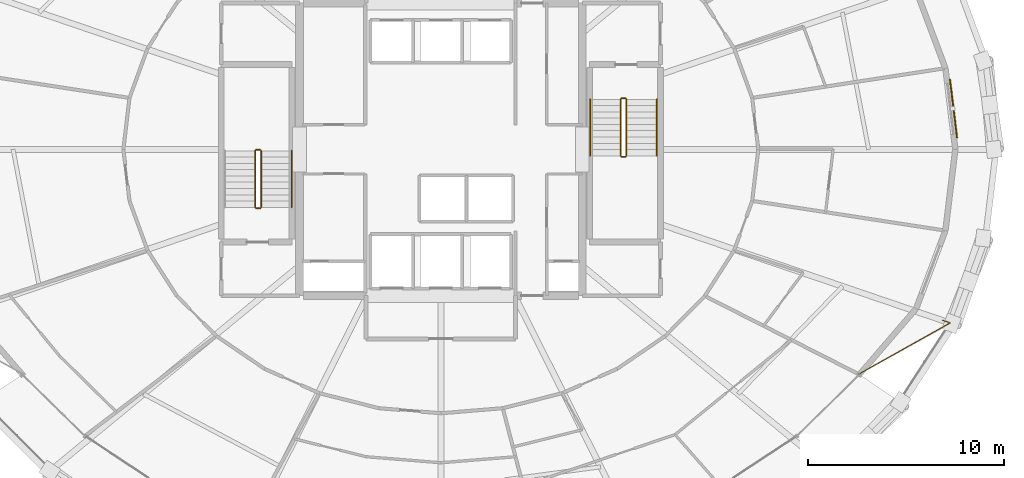
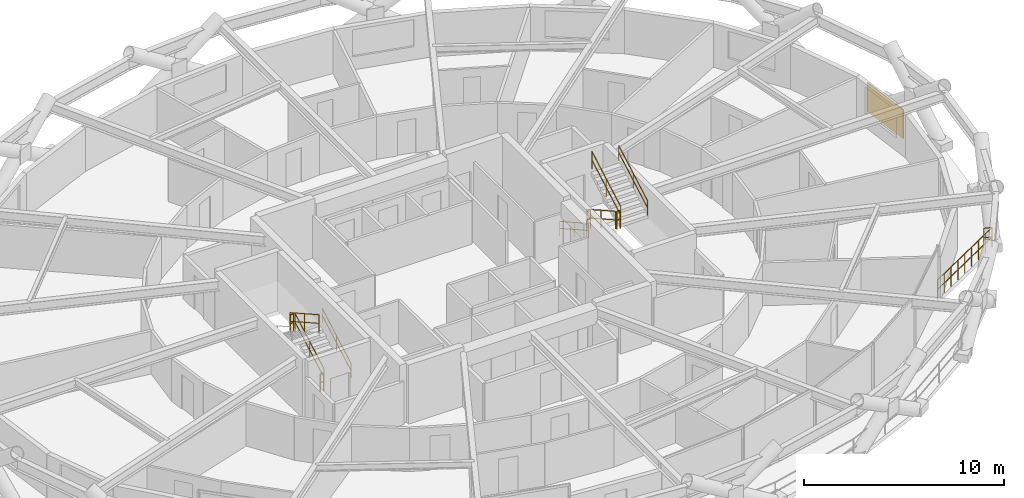
# One storey, part 19 of 19: 12 railings, 1 shading device.
"""IFC4 building model written with IfcOpenShell, lengths in metres."""

import ifcopenshell
import ifcopenshell.guid

model = None  # the IFC model being written
_history = None  # IfcOwnerHistory: only IFC2X3 demands one
_inside = {}  # id of a spatial element -> (the spatial element, [elements in it])
_under = {}  # id of a project, library or spatial element -> (it, [spatial elements below it])
_declared = {}  # id of a project -> (the project, [libraries it declares])
_typed = {}  # id of a type object -> (the type object, [elements of that type])
_made_of = {}  # id of a material, layer set ... -> (it, [elements and type objects made of it])


def new_model(schema):
    """Start an empty IFC model of exactly this schema.

    Asked for "IFC4X3", IfcOpenShell would pick the latest addendum, in which some entities
    have other attributes; the version numbers below select the first issue.
    IFC2X3 requires an IfcOwnerHistory on every rooted entity: one is made here for all.
    """
    global model, _history
    if schema == "IFC4X3":
        model = ifcopenshell.file(schema_version=(4, 3, 0, 0))
    else:
        model = ifcopenshell.file(schema=schema)
    _inside.clear()
    _under.clear()
    _declared.clear()
    _typed.clear()
    _made_of.clear()
    _history = None
    if model.schema == "IFC2X3":
        org = make("IfcOrganization", Name="unknown")
        user = make(
            "IfcPersonAndOrganization",
            ThePerson=make("IfcPerson", FamilyName="unknown"),
            TheOrganization=org,
        )
        app = make(
            "IfcApplication",
            ApplicationDeveloper=org,
            Version="unknown",
            ApplicationFullName="unknown",
            ApplicationIdentifier="unknown",
        )
        _history = make(
            "IfcOwnerHistory",
            OwningUser=user,
            OwningApplication=app,
            ChangeAction="ADDED",
            CreationDate=0,
        )
    return model


def make(cls, **values):
    """One entity of the class cls with the attributes given. An attribute that is None is left unset."""
    return model.create_entity(
        cls, **{name: value for name, value in values.items() if value is not None}
    )


def rooted(cls, **values):
    """An entity with a GlobalId (a new one), such as an element, a storey or a relation."""
    return make(cls, GlobalId=ifcopenshell.guid.new(), OwnerHistory=_history, **values)


def si_unit(unit_type, name, prefix=None):
    """IfcSIUnit, for example si_unit("LENGTHUNIT", "METRE", prefix="MILLI")."""
    return make("IfcSIUnit", UnitType=unit_type, Prefix=prefix, Name=name)


def assignment(units):
    """IfcUnitAssignment: the units of a project."""
    return None if units is None else make("IfcUnitAssignment", Units=units)


def point(xyz):
    """IfcCartesianPoint."""
    return None if xyz is None else make("IfcCartesianPoint", Coordinates=xyz)


def direction(xyz):
    """IfcDirection."""
    return None if xyz is None else make("IfcDirection", DirectionRatios=xyz)


def frame(location, z_axis=None, x_axis=None):
    """IfcAxis2Placement3D, a coordinate frame: its origin and axes. An axis left out is left unset."""
    return make(
        "IfcAxis2Placement3D",
        Location=point(location),
        Axis=direction(z_axis),
        RefDirection=direction(x_axis),
    )


def frame_2d(location, x_axis=None):
    """IfcAxis2Placement2D, a coordinate frame in the plane: its origin and x axis."""
    return make(
        "IfcAxis2Placement2D", Location=point(location), RefDirection=direction(x_axis)
    )


def origin():
    """The frame at (0, 0, 0) with its axes left unset."""
    return frame((0.0, 0.0, 0.0))


def origin_2d():
    """The frame at (0, 0) in the plane with its x axis left unset."""
    return frame_2d((0.0, 0.0))


def place(relative_to, where):
    """IfcLocalPlacement: puts the frame where relative to a parent placement (None: the world)."""
    return make(
        "IfcLocalPlacement", PlacementRelTo=relative_to, RelativePlacement=where
    )


def context(
    kind, dimensions, precision=None, world=None, true_north=None, identifier=None
):
    """IfcGeometricRepresentationContext, for example the 3D "Model" context."""
    return make(
        "IfcGeometricRepresentationContext",
        ContextIdentifier=identifier,
        ContextType=kind,
        CoordinateSpaceDimension=dimensions,
        Precision=precision,
        WorldCoordinateSystem=world,
        TrueNorth=true_north,
    )


def subcontext(parent, identifier, kind, view, scale=None):
    """IfcGeometricRepresentationSubContext, for example "Body" below "Model"."""
    return make(
        "IfcGeometricRepresentationSubContext",
        ContextIdentifier=identifier,
        ContextType=kind,
        ParentContext=parent,
        TargetScale=scale,
        TargetView=view,
    )


def project(units=None, contexts=None):
    """IfcProject with its units and contexts."""
    return rooted(
        "IfcProject",
        Name="project",
        RepresentationContexts=contexts,
        UnitsInContext=assignment(units),
    )


def spatial(cls, under=None, at=None, **own):
    """A site, building, storey or space (cls), placed at a placement, below another one or the project."""
    s = rooted(cls, ObjectPlacement=at, **own)
    if under is not None:
        _under.setdefault(under.id(), (under, []))[1].append(s)
    return s


def profile(cls, at=None, kind="AREA", **sizes):
    """A parametric profile (cls). Its sizes go by their IFC names, for example OverallWidth=200.0."""
    return make(cls, ProfileType=kind, Position=at, **sizes)


def rectangle(**sizes):
    """IfcRectangleProfileDef."""
    return profile("IfcRectangleProfileDef", **sizes)


def circle(**sizes):
    """IfcCircleProfileDef."""
    return profile("IfcCircleProfileDef", **sizes)


def extrude(swept, where, along, depth):
    """IfcExtrudedAreaSolid: the profile swept, set in the frame where, extruded along a direction by depth."""
    return make(
        "IfcExtrudedAreaSolid",
        SweptArea=swept,
        Position=where,
        ExtrudedDirection=direction(along),
        Depth=depth,
    )


def shape(context_of_items, identifier, shape_type, items):
    """IfcShapeRepresentation: the items that make up one representation, for example the "Body"."""
    return make(
        "IfcShapeRepresentation",
        ContextOfItems=context_of_items,
        RepresentationIdentifier=identifier,
        RepresentationType=shape_type,
        Items=items,
    )


def material(Name=None, Category=None):
    """IfcMaterial."""
    return make("IfcMaterial", Name=Name, Category=Category)


def layer(
    of_material, thickness, ventilated=None, Name=None, Category=None, Priority=None
):
    """IfcMaterialLayer: one layer of a wall or slab, of a material (None: an air gap)."""
    return make(
        "IfcMaterialLayer",
        Material=of_material,
        LayerThickness=thickness,
        IsVentilated=ventilated,
        Name=Name,
        Category=Category,
        Priority=Priority,
    )


def layer_set(layers, Name=None):
    """IfcMaterialLayerSet."""
    return make("IfcMaterialLayerSet", MaterialLayers=layers, LayerSetName=Name)


def made_of(thing, what):
    """Note that an element or type object is made of a material, layer set ...; save() writes the relation."""
    if what is not None:
        _made_of.setdefault(what.id(), (what, []))[1].append(thing)
    return thing


def type_object(cls, material=None, **own):
    """A type object (cls), such as IfcWallType, which elements share."""
    return made_of(rooted(cls, **own), material)


def element(
    cls,
    number,
    at=None,
    inside=None,
    cuts=None,
    type_object=None,
    material=None,
    context=None,
    identifier="Body",
    shape_type=None,
    held_by="IfcProductDefinitionShape",
    body=None,
    shapes=None,
    **own,
):
    """One element of the class cls, such as IfcWall. Its Tag is "e" and its number.

    at: its placement. inside: the storey or other place that contains it. cuts: it is an
    opening in that element (IfcRelVoidsElement). A single representation is given by context,
    identifier, shape_type and body (its items); several are given by shapes. held_by: the class
    of the entity that holds the representations. save() writes the other relations.
    """
    e = rooted(cls, Tag="e%d" % number, ObjectPlacement=at, **own)
    if body is not None:
        shapes = [shape(context, identifier, shape_type, body)]
    if shapes is not None:
        e.Representation = make(held_by, Representations=shapes)
    if inside is not None:
        _inside.setdefault(inside.id(), (inside, []))[1].append(e)
    if cuts is not None:
        rooted(
            "IfcRelVoidsElement", RelatingBuildingElement=cuts, RelatedOpeningElement=e
        )
    if type_object is not None:
        _typed.setdefault(type_object.id(), (type_object, []))[1].append(e)
    return made_of(e, material)


def aggregate(whole, parts):
    """IfcRelAggregates: a whole, such as a stair, and the parts it consists of."""
    return rooted("IfcRelAggregates", RelatingObject=whole, RelatedObjects=parts)


def save(model, path):
    """Write the relations noted so far, then the file.

    IfcRelAggregates (storeys below a building ...), IfcRelContainedInSpatialStructure (elements
    in a storey), IfcRelDefinesByType, IfcRelAssociatesMaterial and IfcRelDeclares: one each for
    every whole, place, type object, material and project.
    """
    for whole, parts in _under.values():
        aggregate(whole, parts)
    for where, things in _inside.values():
        rooted(
            "IfcRelContainedInSpatialStructure",
            RelatedElements=things,
            RelatingStructure=where,
        )
    for kind, things in _typed.values():
        rooted("IfcRelDefinesByType", RelatedObjects=things, RelatingType=kind)
    for what, things in _made_of.values():
        rooted("IfcRelAssociatesMaterial", RelatedObjects=things, RelatingMaterial=what)
    for by, libraries in _declared.values():
        rooted("IfcRelDeclares", RelatingContext=by, RelatedDefinitions=libraries)
    model.write(path)


model = new_model("IFC4")

# Units and contexts
model_context = context("Model", 3, precision=1e-05, world=origin(), true_north=direction((0.0, 1.0)))
body_context = subcontext(model_context, "Body", "Model", "MODEL_VIEW")
ifc_project = project(units=[si_unit("LENGTHUNIT", "METRE"), si_unit("AREAUNIT", "SQUARE_METRE"), si_unit("VOLUMEUNIT", "CUBIC_METRE"), si_unit("PLANEANGLEUNIT", "RADIAN"), si_unit("MASSUNIT", "GRAM", prefix="KILO")], contexts=[model_context])

# Site, building, storey
site_placement = place(None, origin())
site = spatial("IfcSite", under=ifc_project, at=site_placement, CompositionType="ELEMENT")
building_placement = place(site_placement, origin())
building = spatial("IfcBuilding", under=site, at=building_placement, Name="Veldorina Hangang Commons", CompositionType="ELEMENT")
storey_placement = place(building_placement, frame((0.0, 0.0, 44.800048828125)))
storey = spatial("IfcBuildingStorey", under=building, at=storey_placement, Name="L10", CompositionType="ELEMENT", Elevation=44.800048828125)

# Railings
ifc_material_1 = material(Name="Glass Laminated Safety Balustrade", Category="glass")
railing_type_1 = type_object("IfcRailingType", Name="RL-BAL-LOGGIA", PredefinedType="BALUSTRADE", material=ifc_material_1)
railing_1_placement = place(storey_placement, frame((57.53466796875, 15.3017578125, 0.0)))
element("IfcRailing", 1, at=railing_1_placement, inside=storey, type_object=railing_type_1, Name="L10 sky-garden loggia end balustrade B", PredefinedType="BALUSTRADE", context=body_context, shape_type="SweptSolid", body=[
    extrude(circle(Radius=0.02392578125, at=origin_2d()), frame((0.0, 0.0, 1.17578125), z_axis=(0.946687644204, -0.322152920694, 0.0), x_axis=(0.322152920694, 0.946687644204, 0.0)), (0.0, 0.0, 1.0), 0.419921875),
    extrude(circle(Radius=0.02392578125, at=origin_2d()), frame((0.0, 0.0, 0.60009765625), z_axis=(0.946687644204, -0.322152920694, 0.0), x_axis=(0.322152920694, 0.946687644204, 0.0)), (0.0, 0.0, 1.0), 0.419921875),
    extrude(circle(Radius=0.02392578125, at=origin_2d()), frame((0.3974609375, -0.13525390625, 1.17578125), z_axis=(-0.872336712104, -0.488905574438, 0.0), x_axis=(0.488905574438, -0.872336712104, 0.0)), (0.0, 0.0, 1.0), 5.337646484375),
    extrude(circle(Radius=0.02392578125, at=origin_2d()), frame((0.3974609375, -0.13525390625, 0.60009765625), z_axis=(-0.872336712104, -0.488905574438, 0.0), x_axis=(0.488905574438, -0.872336712104, 0.0)), (0.0, 0.0, 1.0), 5.337646484375),
    extrude(circle(Radius=0.02099609375, at=origin_2d()), origin(), (0.0, 0.0, 1.0), 1.15185546875),
    extrude(circle(Radius=0.02099609375, at=origin_2d()), frame((0.3974609375, -0.13525390625, 0.0)), (0.0, 0.0, 1.0), 1.15185546875),
    extrude(circle(Radius=0.02099609375, at=origin_2d()), frame((-0.1845703125, -0.46142578125, 0.0)), (0.0, 0.0, 1.0), 1.15185546875),
    extrude(circle(Radius=0.02099609375, at=origin_2d()), frame((-0.7666015625, -0.78759765625, 0.0)), (0.0, 0.0, 1.0), 1.15185546875),
    extrude(circle(Radius=0.02099609375, at=origin_2d()), frame((-1.3486328125, -1.11376953125, 0.0)), (0.0, 0.0, 1.0), 1.15185546875),
    extrude(circle(Radius=0.02099609375, at=origin_2d()), frame((-1.9306640625, -1.43994140625, 0.0)), (0.0, 0.0, 1.0), 1.15185546875),
    extrude(circle(Radius=0.02099609375, at=origin_2d()), frame((-2.5126953125, -1.766357421875, 0.0)), (0.0, 0.0, 1.0), 1.15185546875),
    extrude(circle(Radius=0.02099609375, at=origin_2d()), frame((-3.0947265625, -2.092529296875, 0.0)), (0.0, 0.0, 1.0), 1.15185546875),
    extrude(circle(Radius=0.02099609375, at=origin_2d()), frame((-3.6767578125, -2.418701171875, 0.0)), (0.0, 0.0, 1.0), 1.15185546875),
    extrude(circle(Radius=0.02099609375, at=origin_2d()), frame((-4.2587890625, -2.744873046875, 0.0)), (0.0, 0.0, 1.0), 1.15185546875),
])
ifc_material_2 = material(Name="Steel Painted Balustrade", Category="steel")
railing_type_2 = type_object("IfcRailingType", Name="RL-GRD-STAIR", PredefinedType="GUARDRAIL", material=ifc_material_2)
railing_2_placement = place(storey_placement, frame((22.85009765625, 21.050048828125, 0.179931640625)))
element("IfcRailing", 2, at=railing_2_placement, inside=storey, type_object=railing_type_2, Name="L10 ST-1 stair guard 1", PredefinedType="GUARDRAIL", context=body_context, shape_type="SweptSolid", body=[
    extrude(circle(Radius=0.02392578125, at=origin_2d()), frame((0.0, 0.0, 1.076171875), z_axis=(0.0, 0.87155185771, 0.490303333991), x_axis=(-1.0, 0.0, 0.0)), (0.0, 0.0, 1.0), 3.30419921875),
    extrude(circle(Radius=0.02392578125, at=origin_2d()), frame((0.0, 0.0, 0.550048828125), z_axis=(0.0, 0.87155185771, 0.490303333991), x_axis=(-1.0, 0.0, 0.0)), (0.0, 0.0, 1.0), 3.30419921875),
    extrude(circle(Radius=0.02099609375, at=origin_2d()), origin(), (0.0, 0.0, 1.0), 1.052001953125),
    extrude(circle(Radius=0.02099609375, at=origin_2d()), frame((0.0, 1.43994140625, 0.81005859375)), (0.0, 0.0, 1.0), 1.052001953125),
    extrude(circle(Radius=0.02099609375, at=origin_2d()), frame((0.0, 2.8798828125, 1.6201171875)), (0.0, 0.0, 1.0), 1.052001953125),
])
railing_3_placement = place(storey_placement, frame((22.800048828125, 23.97998046875, 1.800048828125)))
element("IfcRailing", 3, at=railing_3_placement, inside=storey, type_object=railing_type_2, Name="L10 ST-1 stair guard 2", PredefinedType="GUARDRAIL", context=body_context, shape_type="SweptSolid", body=[
    extrude(circle(Radius=0.02392578125, at=origin_2d()), frame((0.0, 0.0, 1.076171875), z_axis=(-1.0, 0.0, 0.0), x_axis=(0.0, -1.0, 0.0)), (0.0, 0.0, 1.0), 0.199951171875),
    extrude(circle(Radius=0.02392578125, at=origin_2d()), frame((0.0, 0.0, 0.550048828125), z_axis=(-1.0, 0.0, 0.0), x_axis=(0.0, -1.0, 0.0)), (0.0, 0.0, 1.0), 0.199951171875),
    extrude(circle(Radius=0.02099609375, at=origin_2d()), origin(), (0.0, 0.0, 1.0), 1.052001953125),
    extrude(circle(Radius=0.02099609375, at=origin_2d()), frame((-0.199951171875, 0.0, 0.0)), (0.0, 0.0, 1.0), 1.052001953125),
])
railing_4_placement = place(storey_placement, frame((22.550048828125, 23.929931640625, 1.97998046875)))
element("IfcRailing", 4, at=railing_4_placement, inside=storey, type_object=railing_type_2, Name="L10 ST-1 stair guard 3", PredefinedType="GUARDRAIL", context=body_context, shape_type="SweptSolid", body=[
    extrude(circle(Radius=0.02392578125, at=origin_2d()), frame((0.0, 0.0, 1.076171875), z_axis=(0.0, -0.871583430097, 0.490247207417), x_axis=(1.0, 0.0, 0.0)), (0.0, 0.0, 1.0), 3.30419921875),
    extrude(circle(Radius=0.02392578125, at=origin_2d()), frame((0.0, 0.0, 0.550048828125), z_axis=(0.0, -0.871583430097, 0.490247207417), x_axis=(1.0, 0.0, 0.0)), (0.0, 0.0, 1.0), 3.30419921875),
    extrude(circle(Radius=0.02099609375, at=origin_2d()), origin(), (0.0, 0.0, 1.0), 1.052001953125),
    extrude(circle(Radius=0.02099609375, at=origin_2d()), frame((0.0, -1.43994140625, 0.81005859375)), (0.0, 0.0, 1.0), 1.052001953125),
    extrude(circle(Radius=0.02099609375, at=origin_2d()), frame((0.0, -2.8798828125, 1.619873046875)), (0.0, 0.0, 1.0), 1.052001953125),
])
railing_5_placement = place(storey_placement, frame((22.800048828125, 21.0, 0.0)))
element("IfcRailing", 5, at=railing_5_placement, inside=storey, type_object=railing_type_2, Name="L10 ST-1 stair guard 4", PredefinedType="GUARDRAIL", context=body_context, shape_type="SweptSolid", body=[
    extrude(circle(Radius=0.02392578125, at=origin_2d()), frame((0.0, 0.0, 1.076171875), z_axis=(-1.0, 0.0, 0.0), x_axis=(0.0, -1.0, 0.0)), (0.0, 0.0, 1.0), 0.199951171875),
    extrude(circle(Radius=0.02392578125, at=origin_2d()), frame((0.0, 0.0, 0.550048828125), z_axis=(-1.0, 0.0, 0.0), x_axis=(0.0, -1.0, 0.0)), (0.0, 0.0, 1.0), 0.199951171875),
    extrude(circle(Radius=0.02099609375, at=origin_2d()), origin(), (0.0, 0.0, 1.0), 1.052001953125),
    extrude(circle(Radius=0.02099609375, at=origin_2d()), frame((-0.199951171875, 0.0, 0.0)), (0.0, 0.0, 1.0), 1.052001953125),
])
railing_6_placement = place(storey_placement, frame((41.14990234375, 26.550048828125, 0.179931640625)))
element("IfcRailing", 6, at=railing_6_placement, inside=storey, type_object=railing_type_2, Name="L10 ST-2 stair guard 1", PredefinedType="GUARDRAIL", context=body_context, shape_type="SweptSolid", body=[
    extrude(circle(Radius=0.02392578125, at=origin_2d()), frame((0.0, 0.0, 1.076171875), z_axis=(0.0, -0.871569617843, 0.490271762652), x_axis=(1.0, 0.0, 0.0)), (0.0, 0.0, 1.0), 3.304443359375),
    extrude(circle(Radius=0.02392578125, at=origin_2d()), frame((0.0, 0.0, 0.550048828125), z_axis=(0.0, -0.871569617843, 0.490271762652), x_axis=(1.0, 0.0, 0.0)), (0.0, 0.0, 1.0), 3.304443359375),
    extrude(circle(Radius=0.02099609375, at=origin_2d()), origin(), (0.0, 0.0, 1.0), 1.052001953125),
    extrude(circle(Radius=0.02099609375, at=origin_2d()), frame((0.0, -1.43994140625, 0.81005859375)), (0.0, 0.0, 1.0), 1.052001953125),
    extrude(circle(Radius=0.02099609375, at=origin_2d()), frame((0.0, -2.880126953125, 1.6201171875)), (0.0, 0.0, 1.0), 1.052001953125),
])
railing_7_placement = place(storey_placement, frame((41.199951171875, 23.6201171875, 1.800048828125)))
element("IfcRailing", 7, at=railing_7_placement, inside=storey, type_object=railing_type_2, Name="L10 ST-2 stair guard 2", PredefinedType="GUARDRAIL", context=body_context, shape_type="SweptSolid", body=[
    extrude(circle(Radius=0.02392578125, at=origin_2d()), frame((0.0, 0.0, 1.076171875), z_axis=(1.0, 0.0, 0.0), x_axis=(0.0, 1.0, 0.0)), (0.0, 0.0, 1.0), 0.199951171875),
    extrude(circle(Radius=0.02392578125, at=origin_2d()), frame((0.0, 0.0, 0.550048828125), z_axis=(1.0, 0.0, 0.0), x_axis=(0.0, 1.0, 0.0)), (0.0, 0.0, 1.0), 0.199951171875),
    extrude(circle(Radius=0.02099609375, at=origin_2d()), origin(), (0.0, 0.0, 1.0), 1.052001953125),
    extrude(circle(Radius=0.02099609375, at=origin_2d()), frame((0.199951171875, 0.0, 0.0)), (0.0, 0.0, 1.0), 1.052001953125),
])
railing_8_placement = place(storey_placement, frame((41.449951171875, 23.669921875, 1.97998046875)))
element("IfcRailing", 8, at=railing_8_placement, inside=storey, type_object=railing_type_2, Name="L10 ST-2 stair guard 3", PredefinedType="GUARDRAIL", context=body_context, shape_type="SweptSolid", body=[
    extrude(circle(Radius=0.02392578125, at=origin_2d()), frame((0.0, 0.0, 1.076171875), z_axis=(0.0, 0.871601186807, 0.490215637405), x_axis=(-1.0, 0.0, 0.0)), (0.0, 0.0, 1.0), 3.304443359375),
    extrude(circle(Radius=0.02392578125, at=origin_2d()), frame((0.0, 0.0, 0.550048828125), z_axis=(0.0, 0.871601186807, 0.490215637405), x_axis=(-1.0, 0.0, 0.0)), (0.0, 0.0, 1.0), 3.304443359375),
    extrude(circle(Radius=0.02099609375, at=origin_2d()), origin(), (0.0, 0.0, 1.0), 1.052001953125),
    extrude(circle(Radius=0.02099609375, at=origin_2d()), frame((0.0, 1.43994140625, 0.81005859375)), (0.0, 0.0, 1.0), 1.052001953125),
    extrude(circle(Radius=0.02099609375, at=origin_2d()), frame((0.0, 2.880126953125, 1.619873046875)), (0.0, 0.0, 1.0), 1.052001953125),
])
railing_9_placement = place(storey_placement, frame((41.199951171875, 26.60009765625, 0.0)))
element("IfcRailing", 9, at=railing_9_placement, inside=storey, type_object=railing_type_2, Name="L10 ST-2 stair guard 4", PredefinedType="GUARDRAIL", context=body_context, shape_type="SweptSolid", body=[
    extrude(circle(Radius=0.02392578125, at=origin_2d()), frame((0.0, 0.0, 1.076171875), z_axis=(1.0, 0.0, 0.0), x_axis=(0.0, 1.0, 0.0)), (0.0, 0.0, 1.0), 0.199951171875),
    extrude(circle(Radius=0.02392578125, at=origin_2d()), frame((0.0, 0.0, 0.550048828125), z_axis=(1.0, 0.0, 0.0), x_axis=(0.0, 1.0, 0.0)), (0.0, 0.0, 1.0), 0.199951171875),
    extrude(circle(Radius=0.02099609375, at=origin_2d()), origin(), (0.0, 0.0, 1.0), 1.052001953125),
    extrude(circle(Radius=0.02099609375, at=origin_2d()), frame((0.199951171875, 0.0, 0.0)), (0.0, 0.0, 1.0), 1.052001953125),
])
ifc_material_3 = material(Name="Stainless Steel Brushed 316", Category="steel")
railing_type_3 = type_object("IfcRailingType", Name="RL-HND-STAIR", PredefinedType="HANDRAIL", material=ifc_material_3)
railing_10_placement = place(storey_placement, frame((24.39990234375, 21.050048828125, 0.179931640625)))
element("IfcRailing", 10, at=railing_10_placement, inside=storey, type_object=railing_type_3, Name="L10 ST-1 stair handrail 1", PredefinedType="HANDRAIL", context=body_context, shape_type="SweptSolid", body=[
    extrude(circle(Radius=0.02392578125, at=origin_2d()), frame((0.0, 0.0, 0.8759765625), z_axis=(0.0, 0.87155185771, 0.490303333991), x_axis=(-1.0, 0.0, 0.0)), (0.0, 0.0, 1.0), 3.30419921875),
    extrude(circle(Radius=0.02392578125, at=origin_2d()), frame((0.0, 0.0, 0.449951171875), z_axis=(0.0, 0.87155185771, 0.490303333991), x_axis=(-1.0, 0.0, 0.0)), (0.0, 0.0, 1.0), 3.30419921875),
    extrude(circle(Radius=0.02099609375, at=origin_2d()), origin(), (0.0, 0.0, 1.0), 0.851806640625),
    extrude(circle(Radius=0.02099609375, at=origin_2d()), frame((0.0, 1.43994140625, 0.81005859375)), (0.0, 0.0, 1.0), 0.851806640625),
    extrude(circle(Radius=0.02099609375, at=origin_2d()), frame((0.0, 2.8798828125, 1.6201171875)), (0.0, 0.0, 1.0), 0.851806640625),
])
railing_11_placement = place(storey_placement, frame((39.60009765625, 26.550048828125, 0.179931640625)))
element("IfcRailing", 11, at=railing_11_placement, inside=storey, type_object=railing_type_3, Name="L10 ST-2 stair handrail 1", PredefinedType="HANDRAIL", context=body_context, shape_type="SweptSolid", body=[
    extrude(circle(Radius=0.02392578125, at=origin_2d()), frame((0.0, 0.0, 0.8759765625), z_axis=(0.0, -0.871569617843, 0.490271762652), x_axis=(1.0, 0.0, 0.0)), (0.0, 0.0, 1.0), 3.304443359375),
    extrude(circle(Radius=0.02392578125, at=origin_2d()), frame((0.0, 0.0, 0.449951171875), z_axis=(0.0, -0.871569617843, 0.490271762652), x_axis=(1.0, 0.0, 0.0)), (0.0, 0.0, 1.0), 3.304443359375),
    extrude(circle(Radius=0.02099609375, at=origin_2d()), origin(), (0.0, 0.0, 1.0), 0.851806640625),
    extrude(circle(Radius=0.02099609375, at=origin_2d()), frame((0.0, -1.43994140625, 0.81005859375)), (0.0, 0.0, 1.0), 0.851806640625),
    extrude(circle(Radius=0.02099609375, at=origin_2d()), frame((0.0, -2.880126953125, 1.6201171875)), (0.0, 0.0, 1.0), 0.851806640625),
])
railing_12_placement = place(storey_placement, frame((43.0, 23.669921875, 1.97998046875)))
element("IfcRailing", 12, at=railing_12_placement, inside=storey, type_object=railing_type_3, Name="L10 ST-2 stair handrail 2", PredefinedType="HANDRAIL", context=body_context, shape_type="SweptSolid", body=[
    extrude(circle(Radius=0.02392578125, at=origin_2d()), frame((0.0, 0.0, 0.8759765625), z_axis=(0.0, 0.871601186807, 0.490215637405), x_axis=(-1.0, 0.0, 0.0)), (0.0, 0.0, 1.0), 3.304443359375),
    extrude(circle(Radius=0.02392578125, at=origin_2d()), frame((0.0, 0.0, 0.449951171875), z_axis=(0.0, 0.871601186807, 0.490215637405), x_axis=(-1.0, 0.0, 0.0)), (0.0, 0.0, 1.0), 3.304443359375),
    extrude(circle(Radius=0.02099609375, at=origin_2d()), origin(), (0.0, 0.0, 1.0), 0.851806640625),
    extrude(circle(Radius=0.02099609375, at=origin_2d()), frame((0.0, 1.43994140625, 0.81005859375)), (0.0, 0.0, 1.0), 0.851806640625),
    extrude(circle(Radius=0.02099609375, at=origin_2d()), frame((0.0, 2.880126953125, 1.619873046875)), (0.0, 0.0, 1.0), 0.851806640625),
])

# Shading device
ifc_material_4 = material(Name="Ceramic Glazed Terracotta", Category="masonry")
ifc_layer = layer(ifc_material_4, 0.06005859375)
ifc_layer_set = layer_set([ifc_layer], Name="Ceramic Glazed Terracotta")
shading_device_type = type_object("IfcShadingDeviceType", Name="SCR-CER-3000", PredefinedType="USERDEFINED", material=ifc_layer_set)
shading_device_placement = place(storey_placement, frame((58.097900390625, 26.08642578125, 0.75), z_axis=(0.0, 0.0, 1.0), x_axis=(-0.120829884873, 0.992673228672, 0.0)))
element("IfcShadingDevice", 13, at=shading_device_placement, inside=storey, type_object=shading_device_type, Name="L10 PERFORATED CERAMIC SOLAR SCREEN 00", ObjectType="SCREEN", PredefinedType="USERDEFINED", context=body_context, shape_type="SweptSolid", body=[
    extrude(rectangle(XDim=3.0, YDim=0.06005859375, at=origin_2d()), origin(), (0.0, 0.0, 1.0), 1.75),
])

save(model, "model.ifc")
